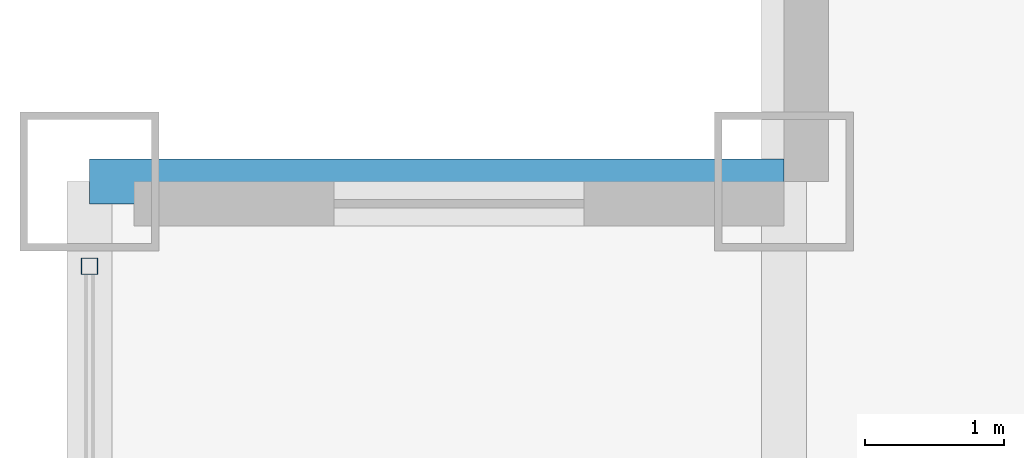
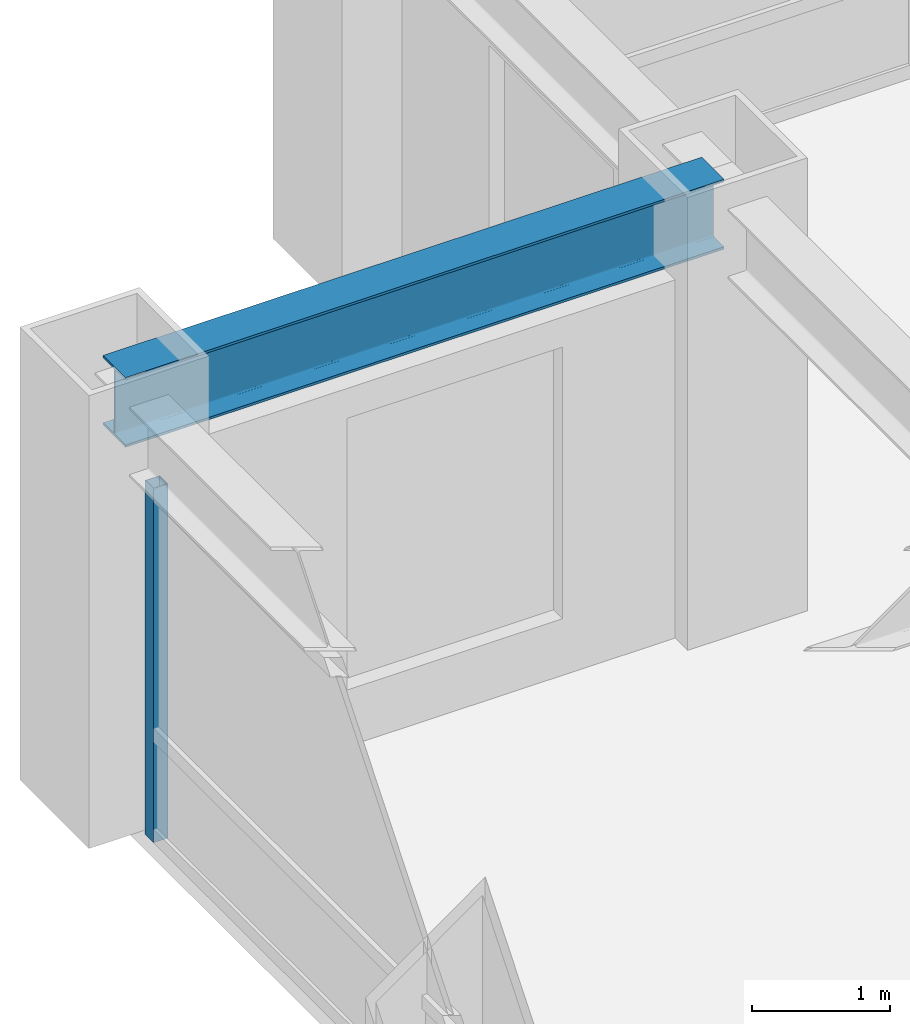
# One storey, part 12 of 29: 1 beam, 1 member, 1 element without a shape of its own.
"""IFC4 building model written with IfcOpenShell, lengths in metres."""

from ifc_helpers import new_model, si_unit, direction, frame, origin, origin_2d, place, context, subcontext, project, spatial, hollow_rectangle, i_section, extrude, source, transform, mapped, material, material_profile, profile_set, type_object, element, aggregate, save


model = new_model("IFC4")

# Units and contexts
model_context = context("Model", 3, precision=1e-05, world=origin(), true_north=direction((0.0, 1.0)))
body_context = subcontext(model_context, "Body", "Model", "MODEL_VIEW")
ifc_project = project(units=[si_unit("LENGTHUNIT", "METRE"), si_unit("AREAUNIT", "SQUARE_METRE"), si_unit("VOLUMEUNIT", "CUBIC_METRE"), si_unit("PLANEANGLEUNIT", "RADIAN"), si_unit("MASSUNIT", "GRAM", prefix="KILO")], contexts=[model_context])

# Site, building, storey
site_placement = place(None, origin())
site = spatial("IfcSite", under=ifc_project, at=site_placement, CompositionType="ELEMENT")
building_placement = place(site_placement, origin())
building = spatial("IfcBuilding", under=site, at=building_placement, Name="Khorayat Bourse Tower", CompositionType="ELEMENT")
storey_placement = place(building_placement, frame((0.0, 0.0, 243.10009765625)))
storey = spatial("IfcBuildingStorey", under=building, at=storey_placement, Name="L57", CompositionType="ELEMENT", Elevation=243.10009765625)

# Beam
ifc_material_1 = material(Name="Steel ASTM A992 Grade 50", Category="steel")
ifc_material_profile_1 = material_profile(ifc_material_1, i_section(OverallWidth=0.324951171875, OverallDepth=0.615966796875, WebThickness=0.013916015625, FlangeThickness=0.021484375, FilletRadius=0.01611328125, at=origin_2d()), Name="W610X174")
ifc_profile_set_1 = profile_set([ifc_material_profile_1], Name="Steel ASTM A992 Grade 50")
beam_type = type_object("IfcBeamType", Name="BM-SPAN-610", PredefinedType="SPANDREL", material=ifc_profile_set_1)
shared_shape_1 = source(origin(), body_context, "Body", "SweptSolid", [
    extrude(i_section(OverallWidth=0.324951171875, OverallDepth=0.615966796875, WebThickness=0.013916015625, FlangeThickness=0.021484375, FilletRadius=0.01611328125, at=origin_2d()), origin(), (0.0, 0.0, 1.0), 5.0),
])
beam_placement = place(storey_placement, frame((-30.0, 25.0, 3.471923828125), z_axis=(1.0, 0.0, 0.0), x_axis=(0.0, 1.0, 0.0)))
element("IfcBeam", 1, at=beam_placement, inside=storey, type_object=beam_type, Name="L57 BM-SPAN-610 BM-L57-SPN-053", PredefinedType="SPANDREL", context=body_context, shape_type="MappedRepresentation", body=[
    mapped(shared_shape_1, transform((0.0, 0.0, 0.0), scale=1.0)),
])

# Curtain wall, member
ifc_material_2 = material(Name="Aluminium EN AW-6063 T6", Category="aluminium")
curtain_wall_type = type_object("IfcCurtainWallType", Name="CW-SYS-03", PredefinedType="NOTDEFINED", material=ifc_material_2)
curtain_wall_placement = place(storey_placement, origin())
curtain_wall = element("IfcCurtainWall", 2, at=curtain_wall_placement, inside=storey, type_object=curtain_wall_type, Name="L57 Curtain Wall CW-L57-W1", PredefinedType="NOTDEFINED")
ifc_material_profile_2 = material_profile(ifc_material_2, hollow_rectangle(XDim=0.1201171875, YDim=0.1201171875, WallThickness=0.0048828125, at=origin_2d()), Name="ALU 120x120x5")
ifc_profile_set_2 = profile_set([ifc_material_profile_2], Name="Aluminium EN AW-6063 T6")
member_type = type_object("IfcMemberType", Name="CWM-VERT-120", PredefinedType="MULLION", material=ifc_profile_set_2)
shared_shape_2 = source(origin(), body_context, "Body", "SweptSolid", [
    extrude(hollow_rectangle(XDim=0.1201171875, YDim=0.1201171875, WallThickness=0.0048828125, at=origin_2d()), origin(), (0.0, 0.0, 1.0), 3.1298828125),
])
member_placement = place(storey_placement, frame((-30.0, 24.389892578125, 0.0), z_axis=(0.0, 0.0, 1.0), x_axis=(-1.0, 0.0, 0.0)))
member = element("IfcMember", 3, at=member_placement, type_object=member_type, Name="CW-L57-W1 Vertical Mullion 3", PredefinedType="MULLION", context=body_context, shape_type="MappedRepresentation", body=[
    mapped(shared_shape_2, transform((0.0, 0.0, 0.0), scale=1.0)),
])
aggregate(curtain_wall, [member])

save(model, "model.ifc")
